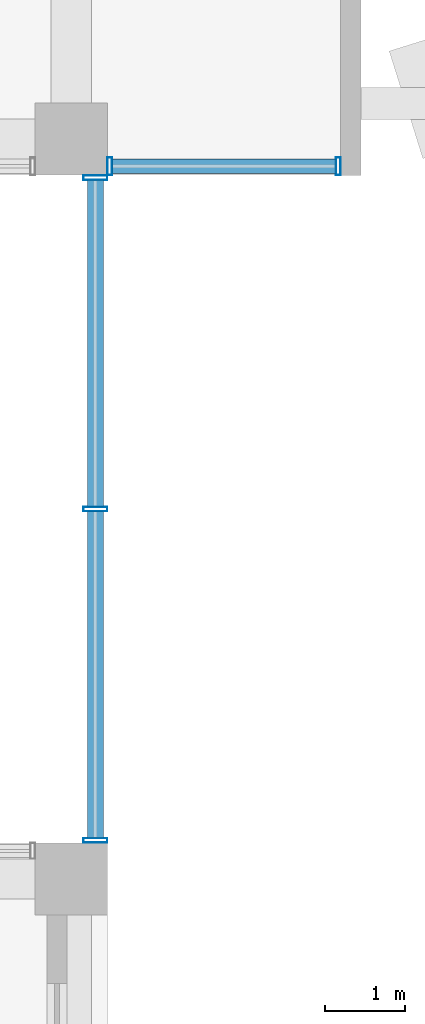
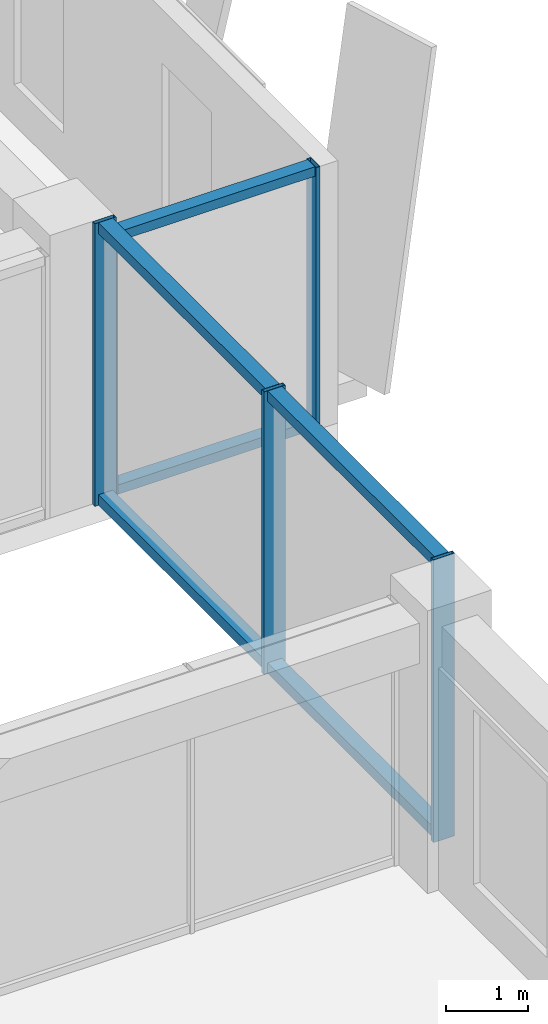
# One storey, part 20 of 38: 11 members, 2 elements without a shape of their own.
"""IFC4 building model written with IfcOpenShell, lengths in metres."""

from ifc_helpers import new_model, si_unit, direction, frame, origin, origin_2d, place, context, subcontext, project, spatial, hollow_rectangle, extrude, material, layer, layer_set, material_profile, profile_set, type_object, element, aggregate, save


model = new_model("IFC4")

# Units and contexts
model_context = context("Model", 3, precision=1e-05, world=origin(), true_north=direction((0.0, 1.0)))
body_context = subcontext(model_context, "Body", "Model", "MODEL_VIEW")
ifc_project = project(units=[si_unit("LENGTHUNIT", "METRE"), si_unit("AREAUNIT", "SQUARE_METRE"), si_unit("VOLUMEUNIT", "CUBIC_METRE"), si_unit("PLANEANGLEUNIT", "RADIAN"), si_unit("MASSUNIT", "GRAM", prefix="KILO")], contexts=[model_context])

# Site, building, storey
site_placement = place(None, origin())
site = spatial("IfcSite", under=ifc_project, at=site_placement, CompositionType="ELEMENT")
building_placement = place(site_placement, origin())
building = spatial("IfcBuilding", under=site, at=building_placement, Name="Nzadi Deep Aquarium and Research Tower", CompositionType="ELEMENT")
storey_placement = place(building_placement, frame((0.0, 0.0, 65.5)))
storey = spatial("IfcBuildingStorey", under=building, at=storey_placement, Name="L13", CompositionType="ELEMENT", Elevation=65.5)

# Curtain wall, members
ifc_material_1 = material(Name="Aluminium unitised frame deep", Category="aluminium")
ifc_layer_1 = layer(ifc_material_1, 0.22509765625)
ifc_layer_set_1 = layer_set([ifc_layer_1], Name="Aluminium unitised frame deep")
curtain_wall_type_1 = type_object("IfcCurtainWallType", Name="Curtain wall Unitised Deep 225", PredefinedType="NOTDEFINED", material=ifc_layer_set_1)
curtain_wall_1_placement = place(storey_placement, origin())
curtain_wall_1 = element("IfcCurtainWall", 1, at=curtain_wall_1_placement, inside=storey, type_object=curtain_wall_type_1, Name="Unitised curtain wall blade B south L13", PredefinedType="NOTDEFINED")
ifc_material_2 = material(Name="Aluminium unitised frame deep", Category="aluminium")
ifc_material_profile_1 = material_profile(ifc_material_2, hollow_rectangle(XDim=0.22509765625, YDim=0.06005859375, WallThickness=0.0048828125, at=origin_2d()))
ifc_profile_set_1 = profile_set([ifc_material_profile_1], Name="Aluminium unitised frame deep")
member_type_1 = type_object("IfcMemberType", Name="Mullion 60x225 Unitised Deep", PredefinedType="MULLION", material=ifc_profile_set_1)
member_1_placement = place(storey_placement, frame((48.47998046875, 27.262451171875, 0.0), z_axis=(0.0, 0.0, 1.0), x_axis=(0.0, 1.0, 0.0)))
member_1 = element("IfcMember", 2, at=member_1_placement, type_object=member_type_1, Name="CW169 mullion 1", PredefinedType="MULLION", context=body_context, shape_type="SweptSolid", body=[
    extrude(hollow_rectangle(XDim=0.22509765625, YDim=0.06005859375, WallThickness=0.0048828125, at=origin_2d()), origin(), (0.0, 0.0, 1.0), 3.89990234375),
])
member_2_placement = place(storey_placement, frame((51.320068359375, 27.262451171875, 0.0), z_axis=(0.0, 0.0, 1.0), x_axis=(0.0, 1.0, 0.0)))
member_2 = element("IfcMember", 3, at=member_2_placement, type_object=member_type_1, Name="CW169 mullion 2", PredefinedType="MULLION", context=body_context, shape_type="SweptSolid", body=[
    extrude(hollow_rectangle(XDim=0.22509765625, YDim=0.06005859375, WallThickness=0.0048828125, at=origin_2d()), origin(), (0.0, 0.0, 1.0), 3.89990234375),
])

ifc_material_3 = material(Name="Aluminium unitised frame wind post", Category="aluminium")
ifc_layer_2 = layer(ifc_material_3, 0.300048828125)
ifc_layer_set_2 = layer_set([ifc_layer_2], Name="Aluminium unitised frame wind post")
curtain_wall_type_2 = type_object("IfcCurtainWallType", Name="Curtain wall Slot End 300", PredefinedType="NOTDEFINED", material=ifc_layer_set_2)
curtain_wall_2_placement = place(storey_placement, origin())
curtain_wall_2 = element("IfcCurtainWall", 4, at=curtain_wall_2_placement, inside=storey, type_object=curtain_wall_type_2, Name="Glazed slot end east L13", PredefinedType="NOTDEFINED")
ifc_material_4 = material(Name="Aluminium unitised frame wind post", Category="aluminium")
ifc_material_profile_2 = material_profile(ifc_material_4, hollow_rectangle(XDim=0.300048828125, YDim=0.06005859375, WallThickness=0.0048828125, at=origin_2d()))
ifc_profile_set_2 = profile_set([ifc_material_profile_2], Name="Aluminium unitised frame wind post")
member_type_2 = type_object("IfcMemberType", Name="Mullion 60x300 Slot End", PredefinedType="MULLION", material=ifc_profile_set_2)
member_3_placement = place(storey_placement, frame((48.300048828125, 18.8798828125, 0.0), z_axis=(0.0, 0.0, 1.0), x_axis=(-1.0, 0.0, 0.0)))
member_3 = element("IfcMember", 5, at=member_3_placement, type_object=member_type_2, Name="CW218 mullion 1", PredefinedType="MULLION", context=body_context, shape_type="SweptSolid", body=[
    extrude(hollow_rectangle(XDim=0.300048828125, YDim=0.06005859375, WallThickness=0.0048828125, at=origin_2d()), origin(), (0.0, 0.0, 1.0), 4.199951171875),
])
member_4_placement = place(storey_placement, frame((48.300048828125, 23.0, 0.0), z_axis=(0.0, 0.0, 1.0), x_axis=(-1.0, 0.0, 0.0)))
member_4 = element("IfcMember", 6, at=member_4_placement, type_object=member_type_2, Name="CW218 mullion 2", PredefinedType="MULLION", context=body_context, shape_type="SweptSolid", body=[
    extrude(hollow_rectangle(XDim=0.300048828125, YDim=0.06005859375, WallThickness=0.0048828125, at=origin_2d()), origin(), (0.0, 0.0, 1.0), 4.199951171875),
])
member_5_placement = place(storey_placement, frame((48.300048828125, 27.1201171875, 0.0), z_axis=(0.0, 0.0, 1.0), x_axis=(-1.0, 0.0, 0.0)))
member_5 = element("IfcMember", 7, at=member_5_placement, type_object=member_type_2, Name="CW218 mullion 3", PredefinedType="MULLION", context=body_context, shape_type="SweptSolid", body=[
    extrude(hollow_rectangle(XDim=0.300048828125, YDim=0.06005859375, WallThickness=0.0048828125, at=origin_2d()), origin(), (0.0, 0.0, 1.0), 4.199951171875),
])

# Member
ifc_material_5 = material(Name="Aluminium unitised frame deep", Category="aluminium")
ifc_material_profile_3 = material_profile(ifc_material_5, hollow_rectangle(XDim=0.179931640625, YDim=0.139892578125, WallThickness=0.0048828125, at=origin_2d()))
ifc_profile_set_3 = profile_set([ifc_material_profile_3], Name="Aluminium unitised frame deep")
member_type_3 = type_object("IfcMemberType", Name="Transom 140x180 Unitised Deep", PredefinedType="MULLION", material=ifc_profile_set_3)
member_6_placement = place(storey_placement, frame((48.510009765625, 27.262451171875, 0.070068359375), z_axis=(1.0, 0.0, 0.0), x_axis=(0.0, 1.0, 0.0)))
member_6 = element("IfcMember", 8, at=member_6_placement, type_object=member_type_3, Name="CW169 transom 1.1", PredefinedType="MULLION", context=body_context, shape_type="SweptSolid", body=[
    extrude(hollow_rectangle(XDim=0.179931640625, YDim=0.139892578125, WallThickness=0.0048828125, at=origin_2d()), origin(), (0.0, 0.0, 1.0), 2.780029296875),
])

member_7_placement = place(storey_placement, frame((48.510009765625, 27.262451171875, 3.830078125), z_axis=(1.0, 0.0, 0.0), x_axis=(0.0, 1.0, 0.0)))
member_7 = element("IfcMember", 9, at=member_7_placement, type_object=member_type_3, Name="CW169 transom 1.2", PredefinedType="MULLION", context=body_context, shape_type="SweptSolid", body=[
    extrude(hollow_rectangle(XDim=0.179931640625, YDim=0.139892578125, WallThickness=0.0048828125, at=origin_2d()), origin(), (0.0, 0.0, 1.0), 2.780029296875),
])

aggregate(curtain_wall_1, [member_1, member_2, member_6, member_7])

ifc_material_6 = material(Name="Aluminium unitised frame wind post", Category="aluminium")
ifc_material_profile_4 = material_profile(ifc_material_6, hollow_rectangle(XDim=0.199951171875, YDim=0.159912109375, WallThickness=0.0048828125, at=origin_2d()))
ifc_profile_set_4 = profile_set([ifc_material_profile_4], Name="Aluminium unitised frame wind post")
member_type_4 = type_object("IfcMemberType", Name="Transom 160x200 Slot End", PredefinedType="MULLION", material=ifc_profile_set_4)
member_8_placement = place(storey_placement, frame((48.300048828125, 18.909912109375, 0.080078125), z_axis=(0.0, 1.0, 0.0), x_axis=(-1.0, 0.0, 0.0)))
member_8 = element("IfcMember", 10, at=member_8_placement, type_object=member_type_4, Name="CW218 transom 1.1", PredefinedType="MULLION", context=body_context, shape_type="SweptSolid", body=[
    extrude(hollow_rectangle(XDim=0.199951171875, YDim=0.159912109375, WallThickness=0.0048828125, at=origin_2d()), origin(), (0.0, 0.0, 1.0), 4.06005859375),
])

member_9_placement = place(storey_placement, frame((48.300048828125, 18.909912109375, 4.1201171875), z_axis=(0.0, 1.0, 0.0), x_axis=(-1.0, 0.0, 0.0)))
member_9 = element("IfcMember", 11, at=member_9_placement, type_object=member_type_4, Name="CW218 transom 1.2", PredefinedType="MULLION", context=body_context, shape_type="SweptSolid", body=[
    extrude(hollow_rectangle(XDim=0.199951171875, YDim=0.159912109375, WallThickness=0.0048828125, at=origin_2d()), origin(), (0.0, 0.0, 1.0), 4.06005859375),
])

member_10_placement = place(storey_placement, frame((48.300048828125, 23.030029296875, 0.080078125), z_axis=(0.0, 1.0, 0.0), x_axis=(-1.0, 0.0, 0.0)))
member_10 = element("IfcMember", 12, at=member_10_placement, type_object=member_type_4, Name="CW218 transom 2.1", PredefinedType="MULLION", context=body_context, shape_type="SweptSolid", body=[
    extrude(hollow_rectangle(XDim=0.199951171875, YDim=0.159912109375, WallThickness=0.0048828125, at=origin_2d()), origin(), (0.0, 0.0, 1.0), 4.06005859375),
])

member_11_placement = place(storey_placement, frame((48.300048828125, 23.030029296875, 4.1201171875), z_axis=(0.0, 1.0, 0.0), x_axis=(-1.0, 0.0, 0.0)))
member_11 = element("IfcMember", 13, at=member_11_placement, type_object=member_type_4, Name="CW218 transom 2.2", PredefinedType="MULLION", context=body_context, shape_type="SweptSolid", body=[
    extrude(hollow_rectangle(XDim=0.199951171875, YDim=0.159912109375, WallThickness=0.0048828125, at=origin_2d()), origin(), (0.0, 0.0, 1.0), 4.06005859375),
])

aggregate(curtain_wall_2, [member_3, member_4, member_5, member_8, member_9, member_10, member_11])

save(model, "model.ifc")
